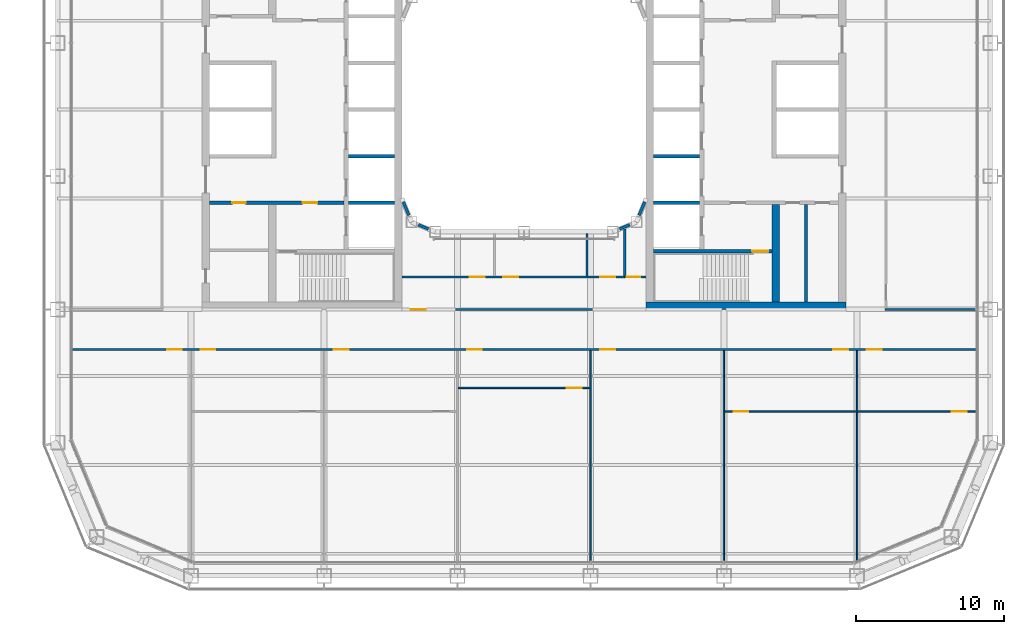
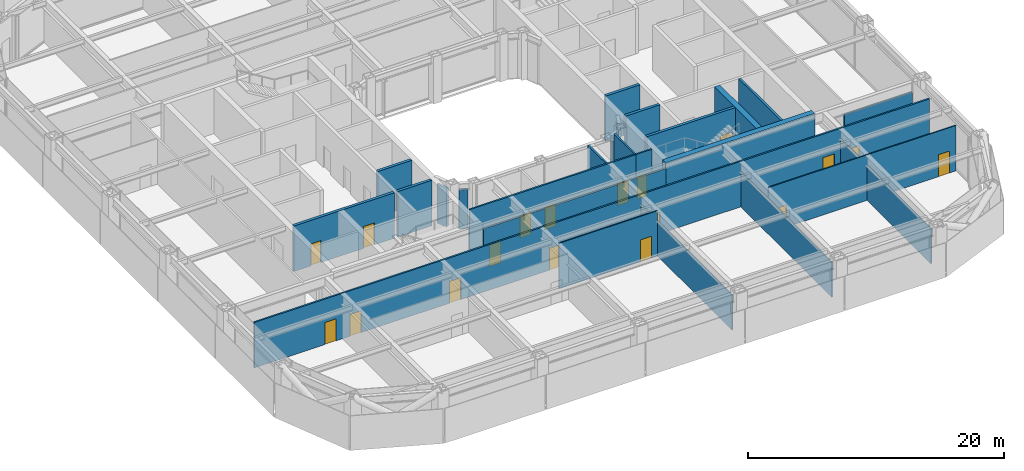
# One storey, part 13 of 29: 26 walls, 18 doors, 18 openings.
"""IFC4 building model written with IfcOpenShell, lengths in metres."""

from ifc_helpers import new_model, si_unit, direction, frame, frame_2d, origin, place, context, subcontext, project, spatial, rectangle, extrude, material, layer, layer_set, type_object, element, fill, save


model = new_model("IFC4")

# Units and contexts
model_context = context("Model", 3, precision=1e-05, world=origin(), true_north=direction((0.0, 1.0)))
body_context = subcontext(model_context, "Body", "Model", "MODEL_VIEW")
ifc_project = project(units=[si_unit("LENGTHUNIT", "METRE"), si_unit("AREAUNIT", "SQUARE_METRE"), si_unit("VOLUMEUNIT", "CUBIC_METRE"), si_unit("PLANEANGLEUNIT", "RADIAN"), si_unit("MASSUNIT", "GRAM", prefix="KILO")], contexts=[model_context])

# Site, building, storey
site_placement = place(None, origin())
site = spatial("IfcSite", under=ifc_project, at=site_placement, CompositionType="ELEMENT")
building_placement = place(site_placement, origin())
building = spatial("IfcBuilding", under=site, at=building_placement, Name="Siwar Civic Tower", CompositionType="ELEMENT")
storey_placement = place(building_placement, frame((0.0, 0.0, 67.199951171875)))
storey = spatial("IfcBuildingStorey", under=building, at=storey_placement, Name="L14", CompositionType="ELEMENT", Elevation=67.199951171875)

# Wall, opening, door
ifc_material_1 = material(Name="Gypsum board on steel studs", Category="steel")
ifc_layer_1 = layer(ifc_material_1, 0.14990234375)
ifc_layer_set_1 = layer_set([ifc_layer_1], Name="Gypsum board on steel studs")
wall_type_1 = type_object("IfcWallType", Name="COMPARTMENT PARTITION 150 EI 60", PredefinedType="PARTITIONING", material=ifc_layer_set_1)
wall_1_placement = place(storey_placement, frame((6.800048828125, -11.300048828125, 0.0), z_axis=(0.0, 0.0, 1.0), x_axis=(1.0, 0.0, 0.0)))
wall_1 = element("IfcWall", 1, at=wall_1_placement, inside=storey, type_object=wall_type_1, Name="L14/wall/P09", PredefinedType="PARTITIONING", context=body_context, shape_type="SweptSolid", body=[
    extrude(rectangle(XDim=1.449951171875, YDim=0.14990234375, at=frame_2d((0.72509765625, 0.0))), origin(), (0.0, 0.0, 1.0), 4.35009765625),
])
opening_1_placement = place(wall_1_placement, frame((0.14990234375, 0.0, 0.0)))
opening_1 = element("IfcOpeningElement", 2, at=opening_1_placement, cuts=wall_1, Name="Opening D4", PredefinedType="OPENING", context=body_context, shape_type="SweptSolid", body=[
    extrude(rectangle(XDim=0.89990234375, YDim=2.10009765625, at=frame_2d((0.449951171875, 1.050048828125))), frame((0.0, 0.0849609375, 0.0), z_axis=(0.0, -1.0, 0.0), x_axis=(1.0, 0.0, 0.0)), (0.0, 0.0, 1.0), 0.169921875),
])
ifc_material_2 = material(Name="Timber, painted", Category="wood")
door_type_1 = type_object("IfcDoorType", Name="DOOR 900 X 2100 FD60", OperationType="SINGLE_SWING_LEFT", PredefinedType="DOOR", material=ifc_material_2)
door_1_placement = place(opening_1_placement, origin())
door_1 = element("IfcDoor", 3, at=door_1_placement, inside=storey, type_object=door_type_1, Name="L14-D34", OperationType="SINGLE_SWING_RIGHT", OverallHeight=2.10009765625, OverallWidth=0.89990234375, PredefinedType="DOOR", context=body_context, shape_type="SweptSolid", body=[
    extrude(rectangle(XDim=0.89990234375, YDim=2.10009765625, at=frame_2d((0.449951171875, 1.050048828125))), frame((0.0, 0.02490234375, 0.0), z_axis=(0.0, -1.0, 0.0), x_axis=(1.0, 0.0, 0.0)), (0.0, 0.0, 1.0), 0.050048828125),
])
fill(opening_1, door_1)

# Walls
wall_2_placement = place(storey_placement, frame((6.800048828125, -11.22509765625, 0.0), z_axis=(0.0, 0.0, 1.0), x_axis=(0.0, 1.0, 0.0)))
element("IfcWall", 4, at=wall_2_placement, inside=storey, type_object=wall_type_1, Name="L14/wall/P32", PredefinedType="PARTITIONING", context=body_context, shape_type="SweptSolid", body=[
    extrude(rectangle(XDim=3.151123046875, YDim=0.14990234375, at=frame_2d((1.57568359375, 0.0))), origin(), (0.0, 0.0, 1.0), 4.35009765625),
])
ifc_material_3 = material(Name="Gypsum board on steel studs", Category="steel")
ifc_layer_2 = layer(ifc_material_3, 0.199951171875)
ifc_layer_set_2 = layer_set([ifc_layer_2], Name="Gypsum board on steel studs")
wall_type_2 = type_object("IfcWallType", Name="CORE-PARTITION-200", PredefinedType="PARTITIONING", material=ifc_layer_set_2)
wall_3_placement = place(storey_placement, frame((19.050048828125, -13.0, 0.0), z_axis=(0.0, 0.0, 1.0), x_axis=(0.0, 1.0, 0.0)))
element("IfcWall", 5, at=wall_3_placement, inside=storey, type_object=wall_type_2, Name="Core partition E", PredefinedType="PARTITIONING", context=body_context, shape_type="SweptSolid", body=[
    extrude(rectangle(XDim=6.574951171875, YDim=0.199951171875, at=frame_2d((3.28759765625, 0.0))), origin(), (0.0, 0.0, 1.0), 4.35009765625),
])

# Wall, openings, doors
ifc_material_4 = material(Name="Concrete C60/75", Category="concrete")
ifc_layer_3 = layer(ifc_material_4, 0.25)
ifc_layer_set_3 = layer_set([ifc_layer_3], Name="Concrete C60/75")
wall_type_3 = type_object("IfcWallType", Name="CORE-WALL-RC250", PredefinedType="SHEAR", material=ifc_layer_set_3)
wall_4_placement = place(storey_placement, frame((-12.14990234375, -6.300048828125, 0.0), z_axis=(0.0, 0.0, 1.0), x_axis=(-1.0, 0.0, 0.0)))
wall_4 = element("IfcWall", 6, at=wall_4_placement, inside=storey, type_object=wall_type_3, Name="Core wall W", PredefinedType="SHEAR", context=body_context, shape_type="SweptSolid", body=[
    extrude(rectangle(XDim=9.10009765625, YDim=0.25, at=frame_2d((4.550048828125, 0.0))), origin(), (0.0, 0.0, 1.0), 4.35009765625),
])
opening_2_placement = place(wall_4_placement, frame((1.800048828125, 0.0, 0.0)))
opening_2 = element("IfcOpeningElement", 7, at=opening_2_placement, cuts=wall_4, Name="Opening L14-CW02", PredefinedType="OPENING", context=body_context, shape_type="SweptSolid", body=[
    extrude(rectangle(XDim=1.0, YDim=2.10009765625, at=frame_2d((0.5, 1.050048828125))), frame((0.0, 0.135009765625, 0.0), z_axis=(0.0, -1.0, 0.0), x_axis=(1.0, 0.0, 0.0)), (0.0, 0.0, 1.0), 0.27001953125),
])
opening_3_placement = place(wall_4_placement, frame((6.64990234375, 0.0, 0.0)))
opening_3 = element("IfcOpeningElement", 8, at=opening_3_placement, cuts=wall_4, Name="Opening L14-CW14", PredefinedType="OPENING", context=body_context, shape_type="SweptSolid", body=[
    extrude(rectangle(XDim=0.89990234375, YDim=2.10009765625, at=frame_2d((0.449951171875, 1.050048828125))), frame((0.0, 0.135009765625, 0.0), z_axis=(0.0, -1.0, 0.0), x_axis=(1.0, 0.0, 0.0)), (0.0, 0.0, 1.0), 0.27001953125),
])
ifc_material_5 = material(Name="Steel door leaf", Category="steel")
door_type_2 = type_object("IfcDoorType", Name="CORE-DOOR-FD30S", OperationType="SINGLE_SWING_LEFT", PredefinedType="DOOR", material=ifc_material_5)
door_2_placement = place(opening_2_placement, origin())
door_2 = element("IfcDoor", 9, at=door_2_placement, inside=storey, type_object=door_type_2, Name="Service lobby door L14-CW02", OperationType="SINGLE_SWING_RIGHT", OverallHeight=2.10009765625, OverallWidth=1.0, PredefinedType="DOOR", context=body_context, shape_type="SweptSolid", body=[
    extrude(rectangle(XDim=1.0, YDim=2.10009765625, at=frame_2d((0.5, 1.050048828125))), frame((0.0, 0.02490234375, 0.0), z_axis=(0.0, -1.0, 0.0), x_axis=(1.0, 0.0, 0.0)), (0.0, 0.0, 1.0), 0.050048828125),
])
fill(opening_2, door_2)
ifc_material_6 = material(Name="Steel door leaf", Category="steel")
door_type_3 = type_object("IfcDoorType", Name="CORE-DOOR-ROOM", OperationType="SINGLE_SWING_LEFT", PredefinedType="DOOR", material=ifc_material_6)
door_3_placement = place(opening_3_placement, origin())
door_3 = element("IfcDoor", 10, at=door_3_placement, inside=storey, type_object=door_type_3, Name="Core room door L14-CW14", OperationType="SINGLE_SWING_RIGHT", OverallHeight=2.10009765625, OverallWidth=0.89990234375, PredefinedType="DOOR", context=body_context, shape_type="SweptSolid", body=[
    extrude(rectangle(XDim=0.89990234375, YDim=2.10009765625, at=frame_2d((0.449951171875, 1.050048828125))), frame((0.0, 0.02490234375, 0.0), z_axis=(0.0, -1.0, 0.0), x_axis=(1.0, 0.0, 0.0)), (0.0, 0.0, 1.0), 0.050048828125),
])
fill(opening_3, door_3)

# Walls
for number, where, z_axis, x_axis, name in (
    (11, (-8.75, -3.14990234375, 0.0), (0.0, 0.0, 1.0), (-1.0, 0.0, 0.0), "Core wall W"),
    (12, (-8.75, -6.300048828125, 0.0), (0.0, 0.0, 1.0), (-1.0, 0.0, 0.0), "Core wall W"),
    (13, (8.75, -3.14990234375, 0.0), (0.0, 0.0, 1.0), (1.0, 0.0, 0.0), "Core wall E"),
    (14, (8.75, -6.300048828125, 0.0), (0.0, 0.0, 1.0), (1.0, 0.0, 0.0), "Core wall E"),
):
    element("IfcWall", number, at=place(storey_placement, frame(where, z_axis=z_axis, x_axis=x_axis)), inside=storey, type_object=wall_type_3, Name=name, PredefinedType="SHEAR", context=body_context, shape_type="SweptSolid", body=[
        extrude(rectangle(XDim=3.10009765625, YDim=0.25, at=frame_2d((1.550048828125, 0.0))), origin(), (0.0, 0.0, 1.0), 4.35009765625),
    ])

# Wall, opening, door
wall_5_placement = place(storey_placement, frame((8.75, -9.574951171875, 0.0), z_axis=(0.0, 0.0, 1.0), x_axis=(1.0, 0.0, 0.0)))
wall_5 = element("IfcWall", 15, at=wall_5_placement, inside=storey, type_object=wall_type_3, Name="Core wall E", PredefinedType="SHEAR", context=body_context, shape_type="SweptSolid", body=[
    extrude(rectangle(XDim=8.0, YDim=0.25, at=frame_2d((4.0, 0.0))), origin(), (0.0, 0.0, 1.0), 4.35009765625),
])
opening_4_placement = place(wall_5_placement, frame((6.64990234375, 0.0, 0.0)))
opening_4 = element("IfcOpeningElement", 16, at=opening_4_placement, cuts=wall_5, Name="Opening L14-CE04", PredefinedType="OPENING", context=body_context, shape_type="SweptSolid", body=[
    extrude(rectangle(XDim=1.10009765625, YDim=2.10009765625, at=frame_2d((0.550048828125, 1.050048828125))), frame((0.0, 0.135009765625, 0.0), z_axis=(0.0, -1.0, 0.0), x_axis=(1.0, 0.0, 0.0)), (0.0, 0.0, 1.0), 0.27001953125),
])
ifc_material_7 = material(Name="Steel door leaf", Category="steel")
door_type_4 = type_object("IfcDoorType", Name="CORE-DOOR-FD60S", OperationType="SINGLE_SWING_LEFT", PredefinedType="DOOR", material=ifc_material_7)
door_4_placement = place(opening_4_placement, origin())
door_4 = element("IfcDoor", 17, at=door_4_placement, inside=storey, type_object=door_type_4, Name="Stair door L14-CE04", OperationType="SINGLE_SWING_RIGHT", OverallHeight=2.10009765625, OverallWidth=1.10009765625, PredefinedType="DOOR", context=body_context, shape_type="SweptSolid", body=[
    extrude(rectangle(XDim=1.10009765625, YDim=2.10009765625, at=frame_2d((0.550048828125, 1.050048828125))), frame((0.0, 0.02490234375, 0.0), z_axis=(0.0, -1.0, 0.0), x_axis=(1.0, 0.0, 0.0)), (0.0, 0.0, 1.0), 0.050048828125),
])
fill(opening_4, door_4)

# Walls
ifc_material_8 = material(Name="Concrete C60/75", Category="concrete")
ifc_layer_4 = layer(ifc_material_8, 0.5)
ifc_layer_set_4 = layer_set([ifc_layer_4], Name="Concrete C60/75")
wall_type_4 = type_object("IfcWallType", Name="CORE-WALL-RC500", PredefinedType="SHEAR", material=ifc_layer_set_4)
wall_6_placement = place(storey_placement, frame((17.0, -13.0, 0.0), z_axis=(0.0, 0.0, 1.0), x_axis=(0.0, 1.0, 0.0)))
element("IfcWall", 18, at=wall_6_placement, inside=storey, type_object=wall_type_4, Name="Core wall E", PredefinedType="SHEAR", context=body_context, shape_type="SweptSolid", body=[
    extrude(rectangle(XDim=6.574951171875, YDim=0.5, at=frame_2d((3.28759765625, 0.0))), origin(), (0.0, 0.0, 1.0), 4.35009765625),
])
wall_7_placement = place(storey_placement, frame((8.25, -13.25, 0.0), z_axis=(0.0, 0.0, 1.0), x_axis=(1.0, 0.0, 0.0)))
element("IfcWall", 19, at=wall_7_placement, inside=storey, type_object=wall_type_4, Name="Core wall E", PredefinedType="SHEAR", context=body_context, shape_type="SweptSolid", body=[
    extrude(rectangle(XDim=13.5, YDim=0.5, at=frame_2d((6.75, 0.0))), origin(), (0.0, 0.0, 1.0), 4.35009765625),
])

# Wall, openings, doors
ifc_material_9 = material(Name="Gypsum board on steel studs", Category="steel")
ifc_layer_5 = layer(ifc_material_9, 0.14990234375)
ifc_layer_set_5 = layer_set([ifc_layer_5], Name="Gypsum board on steel studs")
wall_type_5 = type_object("IfcWallType", Name="CORRIDOR PARTITION 150 EI 30", PredefinedType="PARTITIONING", material=ifc_layer_set_5)
wall_8_placement = place(storey_placement, frame((-30.510009765625, -16.199951171875, 0.0), z_axis=(0.0, 0.0, 1.0), x_axis=(1.0, 0.0, 0.0)))
wall_8 = element("IfcWall", 20, at=wall_8_placement, inside=storey, type_object=wall_type_5, Name="L14/wall/P04", PredefinedType="PARTITIONING", context=body_context, shape_type="SweptSolid", body=[
    extrude(rectangle(XDim=61.02001953125, YDim=0.14990234375, at=frame_2d((30.510009765625, 0.0))), origin(), (0.0, 0.0, 1.0), 4.35009765625),
])
opening_5_placement = place(wall_8_placement, frame((8.659912109375, 0.0, 0.0)))
opening_5 = element("IfcOpeningElement", 21, at=opening_5_placement, cuts=wall_8, Name="Opening D1", PredefinedType="OPENING", context=body_context, shape_type="SweptSolid", body=[
    extrude(rectangle(XDim=1.0, YDim=2.10009765625, at=frame_2d((0.5, 1.050048828125))), frame((0.0, 0.0849609375, 0.0), z_axis=(0.0, -1.0, 0.0), x_axis=(1.0, 0.0, 0.0)), (0.0, 0.0, 1.0), 0.169921875),
])
opening_6_placement = place(wall_8_placement, frame((17.659912109375, 0.0, 0.0)))
opening_6 = element("IfcOpeningElement", 22, at=opening_6_placement, cuts=wall_8, Name="Opening D1", PredefinedType="OPENING", context=body_context, shape_type="SweptSolid", body=[
    extrude(rectangle(XDim=1.0, YDim=2.10009765625, at=frame_2d((0.5, 1.050048828125))), frame((0.0, 0.0849609375, 0.0), z_axis=(0.0, -1.0, 0.0), x_axis=(1.0, 0.0, 0.0)), (0.0, 0.0, 1.0), 0.169921875),
])
opening_7_placement = place(wall_8_placement, frame((26.659912109375, 0.0, 0.0)))
opening_7 = element("IfcOpeningElement", 23, at=opening_7_placement, cuts=wall_8, Name="Opening D1", PredefinedType="OPENING", context=body_context, shape_type="SweptSolid", body=[
    extrude(rectangle(XDim=1.0, YDim=2.10009765625, at=frame_2d((0.5, 1.050048828125))), frame((0.0, 0.0849609375, 0.0), z_axis=(0.0, -1.0, 0.0), x_axis=(1.0, 0.0, 0.0)), (0.0, 0.0, 1.0), 0.169921875),
])
opening_8_placement = place(wall_8_placement, frame((35.659912109375, 0.0, 0.0)))
opening_8 = element("IfcOpeningElement", 24, at=opening_8_placement, cuts=wall_8, Name="Opening D1", PredefinedType="OPENING", context=body_context, shape_type="SweptSolid", body=[
    extrude(rectangle(XDim=1.0, YDim=2.10009765625, at=frame_2d((0.5, 1.050048828125))), frame((0.0, 0.0849609375, 0.0), z_axis=(0.0, -1.0, 0.0), x_axis=(1.0, 0.0, 0.0)), (0.0, 0.0, 1.0), 0.169921875),
])
opening_9_placement = place(wall_8_placement, frame((51.409912109375, 0.0, 0.0)))
opening_9 = element("IfcOpeningElement", 25, at=opening_9_placement, cuts=wall_8, Name="Opening D1", PredefinedType="OPENING", context=body_context, shape_type="SweptSolid", body=[
    extrude(rectangle(XDim=1.0, YDim=2.10009765625, at=frame_2d((0.5, 1.050048828125))), frame((0.0, 0.0849609375, 0.0), z_axis=(0.0, -1.0, 0.0), x_axis=(1.0, 0.0, 0.0)), (0.0, 0.0, 1.0), 0.169921875),
])
opening_10_placement = place(wall_8_placement, frame((6.39990234375, 0.0, 0.0)))
opening_10 = element("IfcOpeningElement", 26, at=opening_10_placement, cuts=wall_8, Name="Opening D1", PredefinedType="OPENING", context=body_context, shape_type="SweptSolid", body=[
    extrude(rectangle(XDim=1.0, YDim=2.10009765625, at=frame_2d((0.5, 1.050048828125))), frame((0.0, 0.0849609375, 0.0), z_axis=(0.0, -1.0, 0.0), x_axis=(1.0, 0.0, 0.0)), (0.0, 0.0, 1.0), 0.169921875),
])
opening_11_placement = place(wall_8_placement, frame((53.659912109375, 0.0, 0.0)))
opening_11 = element("IfcOpeningElement", 27, at=opening_11_placement, cuts=wall_8, Name="Opening D1", PredefinedType="OPENING", context=body_context, shape_type="SweptSolid", body=[
    extrude(rectangle(XDim=1.0, YDim=2.10009765625, at=frame_2d((0.5, 1.050048828125))), frame((0.0, 0.0849609375, 0.0), z_axis=(0.0, -1.0, 0.0), x_axis=(1.0, 0.0, 0.0)), (0.0, 0.0, 1.0), 0.169921875),
])
ifc_material_10 = material(Name="Timber, painted", Category="wood")
door_type_5 = type_object("IfcDoorType", Name="DOOR 1000 X 2100 FD30", OperationType="SINGLE_SWING_LEFT", PredefinedType="DOOR", material=ifc_material_10)
door_5_placement = place(opening_5_placement, origin())
door_5 = element("IfcDoor", 28, at=door_5_placement, inside=storey, type_object=door_type_5, Name="L14-D11", OperationType="SINGLE_SWING_LEFT", OverallHeight=2.10009765625, OverallWidth=1.0, PredefinedType="DOOR", context=body_context, shape_type="SweptSolid", body=[
    extrude(rectangle(XDim=1.0, YDim=2.10009765625, at=frame_2d((0.5, 1.050048828125))), frame((0.0, 0.02490234375, 0.0), z_axis=(0.0, -1.0, 0.0), x_axis=(1.0, 0.0, 0.0)), (0.0, 0.0, 1.0), 0.050048828125),
])
fill(opening_5, door_5)
door_6_placement = place(opening_6_placement, origin())
door_6 = element("IfcDoor", 29, at=door_6_placement, inside=storey, type_object=door_type_5, Name="L14-D13", OperationType="SINGLE_SWING_LEFT", OverallHeight=2.10009765625, OverallWidth=1.0, PredefinedType="DOOR", context=body_context, shape_type="SweptSolid", body=[
    extrude(rectangle(XDim=1.0, YDim=2.10009765625, at=frame_2d((0.5, 1.050048828125))), frame((0.0, 0.02490234375, 0.0), z_axis=(0.0, -1.0, 0.0), x_axis=(1.0, 0.0, 0.0)), (0.0, 0.0, 1.0), 0.050048828125),
])
fill(opening_6, door_6)
door_7_placement = place(opening_7_placement, origin())
door_7 = element("IfcDoor", 30, at=door_7_placement, inside=storey, type_object=door_type_5, Name="L14-D15", OperationType="SINGLE_SWING_LEFT", OverallHeight=2.10009765625, OverallWidth=1.0, PredefinedType="DOOR", context=body_context, shape_type="SweptSolid", body=[
    extrude(rectangle(XDim=1.0, YDim=2.10009765625, at=frame_2d((0.5, 1.050048828125))), frame((0.0, 0.02490234375, 0.0), z_axis=(0.0, -1.0, 0.0), x_axis=(1.0, 0.0, 0.0)), (0.0, 0.0, 1.0), 0.050048828125),
])
fill(opening_7, door_7)
door_8_placement = place(opening_8_placement, origin())
door_8 = element("IfcDoor", 31, at=door_8_placement, inside=storey, type_object=door_type_5, Name="L14-D17", OperationType="SINGLE_SWING_LEFT", OverallHeight=2.10009765625, OverallWidth=1.0, PredefinedType="DOOR", context=body_context, shape_type="SweptSolid", body=[
    extrude(rectangle(XDim=1.0, YDim=2.10009765625, at=frame_2d((0.5, 1.050048828125))), frame((0.0, 0.02490234375, 0.0), z_axis=(0.0, -1.0, 0.0), x_axis=(1.0, 0.0, 0.0)), (0.0, 0.0, 1.0), 0.050048828125),
])
fill(opening_8, door_8)
door_9_placement = place(opening_9_placement, origin())
door_9 = element("IfcDoor", 32, at=door_9_placement, inside=storey, type_object=door_type_5, Name="L14-D18", OperationType="SINGLE_SWING_RIGHT", OverallHeight=2.10009765625, OverallWidth=1.0, PredefinedType="DOOR", context=body_context, shape_type="SweptSolid", body=[
    extrude(rectangle(XDim=1.0, YDim=2.10009765625, at=frame_2d((0.5, 1.050048828125))), frame((0.0, 0.02490234375, 0.0), z_axis=(0.0, -1.0, 0.0), x_axis=(1.0, 0.0, 0.0)), (0.0, 0.0, 1.0), 0.050048828125),
])
fill(opening_9, door_9)
door_10_placement = place(opening_10_placement, origin())
door_10 = element("IfcDoor", 33, at=door_10_placement, inside=storey, type_object=door_type_5, Name="L14-D22", OperationType="SINGLE_SWING_RIGHT", OverallHeight=2.10009765625, OverallWidth=1.0, PredefinedType="DOOR", context=body_context, shape_type="SweptSolid", body=[
    extrude(rectangle(XDim=1.0, YDim=2.10009765625, at=frame_2d((0.5, 1.050048828125))), frame((0.0, 0.02490234375, 0.0), z_axis=(0.0, -1.0, 0.0), x_axis=(1.0, 0.0, 0.0)), (0.0, 0.0, 1.0), 0.050048828125),
])
fill(opening_10, door_10)
door_11_placement = place(opening_11_placement, origin())
door_11 = element("IfcDoor", 34, at=door_11_placement, inside=storey, type_object=door_type_5, Name="L14-D23", OperationType="SINGLE_SWING_LEFT", OverallHeight=2.10009765625, OverallWidth=1.0, PredefinedType="DOOR", context=body_context, shape_type="SweptSolid", body=[
    extrude(rectangle(XDim=1.0, YDim=2.10009765625, at=frame_2d((0.5, 1.050048828125))), frame((0.0, 0.02490234375, 0.0), z_axis=(0.0, -1.0, 0.0), x_axis=(1.0, 0.0, 0.0)), (0.0, 0.0, 1.0), 0.050048828125),
])
fill(opening_11, door_11)

# Wall, opening, door
wall_9_placement = place(storey_placement, frame((-8.25, -13.5, 0.0), z_axis=(0.0, 0.0, 1.0), x_axis=(1.0, 0.0, 0.0)))
wall_9 = element("IfcWall", 35, at=wall_9_placement, inside=storey, type_object=wall_type_5, Name="L14/wall/P06", PredefinedType="PARTITIONING", context=body_context, shape_type="SweptSolid", body=[
    extrude(rectangle(XDim=16.5, YDim=0.14990234375, at=frame_2d((8.25, 0.0))), origin(), (0.0, 0.0, 1.0), 3.85009765625),
])
opening_12_placement = place(wall_9_placement, frame((0.60009765625, 0.0, 0.0)))
opening_12 = element("IfcOpeningElement", 36, at=opening_12_placement, cuts=wall_9, Name="Opening D1", PredefinedType="OPENING", context=body_context, shape_type="SweptSolid", body=[
    extrude(rectangle(XDim=1.0, YDim=2.10009765625, at=frame_2d((0.5, 1.050048828125))), frame((0.0, 0.0849609375, 0.0), z_axis=(0.0, -1.0, 0.0), x_axis=(1.0, 0.0, 0.0)), (0.0, 0.0, 1.0), 0.169921875),
])
door_12_placement = place(opening_12_placement, origin())
door_12 = element("IfcDoor", 37, at=door_12_placement, inside=storey, type_object=door_type_5, Name="L14-D30", OperationType="SINGLE_SWING_RIGHT", OverallHeight=2.10009765625, OverallWidth=1.0, PredefinedType="DOOR", context=body_context, shape_type="SweptSolid", body=[
    extrude(rectangle(XDim=1.0, YDim=2.10009765625, at=frame_2d((0.5, 1.050048828125))), frame((0.0, 0.02490234375, 0.0), z_axis=(0.0, -1.0, 0.0), x_axis=(1.0, 0.0, 0.0)), (0.0, 0.0, 1.0), 0.050048828125),
])
fill(opening_12, door_12)

# Wall
wall_10_placement = place(storey_placement, frame((24.375, -13.5, 0.0), z_axis=(0.0, 0.0, 1.0), x_axis=(1.0, 0.0, 0.0)))
element("IfcWall", 38, at=wall_10_placement, inside=storey, type_object=wall_type_5, Name="L14/wall/P07", PredefinedType="PARTITIONING", context=body_context, shape_type="SweptSolid", body=[
    extrude(rectangle(XDim=6.135009765625, YDim=0.14990234375, at=frame_2d((3.0673828125, 0.0))), origin(), (0.0, 0.0, 1.0), 3.35009765625),
])

# Wall, openings, doors
wall_11_placement = place(storey_placement, frame((-8.25, -11.300048828125, 0.0), z_axis=(0.0, 0.0, 1.0), x_axis=(1.0, 0.0, 0.0)))
wall_11 = element("IfcWall", 39, at=wall_11_placement, inside=storey, type_object=wall_type_5, Name="L14/wall/P08", PredefinedType="PARTITIONING", context=body_context, shape_type="SweptSolid", body=[
    extrude(rectangle(XDim=15.050048828125, YDim=0.14990234375, at=frame_2d((7.52490234375, 0.0))), origin(), (0.0, 0.0, 1.0), 4.35009765625),
])
opening_13_placement = place(wall_11_placement, frame((4.60009765625, 0.0, 0.0)))
opening_13 = element("IfcOpeningElement", 40, at=opening_13_placement, cuts=wall_11, Name="Opening D3", PredefinedType="OPENING", context=body_context, shape_type="SweptSolid", body=[
    extrude(rectangle(XDim=1.0, YDim=2.10009765625, at=frame_2d((0.5, 1.050048828125))), frame((0.0, 0.0849609375, 0.0), z_axis=(0.0, -1.0, 0.0), x_axis=(1.0, 0.0, 0.0)), (0.0, 0.0, 1.0), 0.169921875),
])
opening_14_placement = place(wall_11_placement, frame((6.85009765625, 0.0, 0.0)))
opening_14 = element("IfcOpeningElement", 41, at=opening_14_placement, cuts=wall_11, Name="Opening D3", PredefinedType="OPENING", context=body_context, shape_type="SweptSolid", body=[
    extrude(rectangle(XDim=1.0, YDim=2.10009765625, at=frame_2d((0.5, 1.050048828125))), frame((0.0, 0.0849609375, 0.0), z_axis=(0.0, -1.0, 0.0), x_axis=(1.0, 0.0, 0.0)), (0.0, 0.0, 1.0), 0.169921875),
])
opening_15_placement = place(wall_11_placement, frame((13.39990234375, 0.0, 0.0)))
opening_15 = element("IfcOpeningElement", 42, at=opening_15_placement, cuts=wall_11, Name="Opening D3", PredefinedType="OPENING", context=body_context, shape_type="SweptSolid", body=[
    extrude(rectangle(XDim=1.0, YDim=2.10009765625, at=frame_2d((0.5, 1.050048828125))), frame((0.0, 0.0849609375, 0.0), z_axis=(0.0, -1.0, 0.0), x_axis=(1.0, 0.0, 0.0)), (0.0, 0.0, 1.0), 0.169921875),
])
ifc_material_11 = material(Name="Timber, painted", Category="wood")
door_type_6 = type_object("IfcDoorType", Name="DOOR 1000 X 2100 WC", OperationType="SINGLE_SWING_LEFT", PredefinedType="DOOR", material=ifc_material_11)
door_13_placement = place(opening_13_placement, origin())
door_13 = element("IfcDoor", 43, at=door_13_placement, inside=storey, type_object=door_type_6, Name="L14-D31", OperationType="SINGLE_SWING_LEFT", OverallHeight=2.10009765625, OverallWidth=1.0, PredefinedType="DOOR", context=body_context, shape_type="SweptSolid", body=[
    extrude(rectangle(XDim=1.0, YDim=2.10009765625, at=frame_2d((0.5, 1.050048828125))), frame((0.0, 0.02490234375, 0.0), z_axis=(0.0, -1.0, 0.0), x_axis=(1.0, 0.0, 0.0)), (0.0, 0.0, 1.0), 0.050048828125),
])
fill(opening_13, door_13)
door_14_placement = place(opening_14_placement, origin())
door_14 = element("IfcDoor", 44, at=door_14_placement, inside=storey, type_object=door_type_6, Name="L14-D32", OperationType="SINGLE_SWING_RIGHT", OverallHeight=2.10009765625, OverallWidth=1.0, PredefinedType="DOOR", context=body_context, shape_type="SweptSolid", body=[
    extrude(rectangle(XDim=1.0, YDim=2.10009765625, at=frame_2d((0.5, 1.050048828125))), frame((0.0, 0.02490234375, 0.0), z_axis=(0.0, -1.0, 0.0), x_axis=(1.0, 0.0, 0.0)), (0.0, 0.0, 1.0), 0.050048828125),
])
fill(opening_14, door_14)
door_15_placement = place(opening_15_placement, origin())
door_15 = element("IfcDoor", 45, at=door_15_placement, inside=storey, type_object=door_type_6, Name="L14-D33", OperationType="SINGLE_SWING_LEFT", OverallHeight=2.10009765625, OverallWidth=1.0, PredefinedType="DOOR", context=body_context, shape_type="SweptSolid", body=[
    extrude(rectangle(XDim=1.0, YDim=2.10009765625, at=frame_2d((0.5, 1.050048828125))), frame((0.0, 0.02490234375, 0.0), z_axis=(0.0, -1.0, 0.0), x_axis=(1.0, 0.0, 0.0)), (0.0, 0.0, 1.0), 0.050048828125),
])
fill(opening_15, door_15)

# Walls
wall_12_placement = place(storey_placement, frame((4.25, -11.22509765625, 0.0), z_axis=(0.0, 0.0, 1.0), x_axis=(0.0, 1.0, 0.0)))
element("IfcWall", 46, at=wall_12_placement, inside=storey, type_object=wall_type_5, Name="L14/wall/P28", PredefinedType="PARTITIONING", context=body_context, shape_type="SweptSolid", body=[
    extrude(rectangle(XDim=2.85498046875, YDim=0.14990234375, at=frame_2d((1.427490234375, 0.0))), origin(), (0.0, 0.0, 1.0), 4.35009765625),
])
ifc_material_12 = material(Name="Aluminium clad insulated panel", Category="aluminium")
ifc_layer_6 = layer(ifc_material_12, 0.199951171875)
ifc_layer_set_6 = layer_set([ifc_layer_6], Name="Aluminium clad insulated panel")
wall_type_6 = type_object("IfcWallType", Name="ENV-WALL-WELL", PredefinedType="STANDARD", material=ifc_layer_set_6)
wall_13_placement = place(storey_placement, frame((6.45263671875, -8.0625, 0.0), z_axis=(0.0, 0.0, 1.0), x_axis=(0.923940677943, 0.382535780864, 0.0)))
element("IfcWall", 47, at=wall_13_placement, inside=storey, type_object=wall_type_6, Name="Light well corner wall SE1", PredefinedType="STANDARD", context=body_context, shape_type="SweptSolid", body=[
    extrude(rectangle(XDim=0.7421875, YDim=0.199951171875, at=frame_2d((0.37109375, 0.0))), origin(), (0.0, 0.0, 1.0), 3.72998046875),
])
for number, where, z_axis, x_axis, name in (
    (48, (7.778564453125, -7.138427734375, 0.0), (0.0, 0.0, 1.0), (0.382549378284, 0.923935048136, 0.0), "Light well corner wall SE2"),
    (49, (-8.154296875, -6.23095703125, 0.0), (0.0, 0.0, 1.0), (0.382549378284, -0.923935048136, 0.0), "Light well corner wall SW1"),
):
    element("IfcWall", number, at=place(storey_placement, frame(where, z_axis=z_axis, x_axis=x_axis)), inside=storey, type_object=wall_type_6, Name=name, PredefinedType="STANDARD", context=body_context, shape_type="SweptSolid", body=[
        extrude(rectangle(XDim=0.982177734375, YDim=0.199951171875, at=frame_2d((0.4912109375, 0.0))), origin(), (0.0, 0.0, 1.0), 3.72998046875),
    ])
wall_14_placement = place(storey_placement, frame((-7.138427734375, -7.778564453125, 0.0), z_axis=(0.0, 0.0, 1.0), x_axis=(0.923940677943, -0.382535780864, 0.0)))
element("IfcWall", 50, at=wall_14_placement, inside=storey, type_object=wall_type_6, Name="Light well corner wall SW2", PredefinedType="STANDARD", context=body_context, shape_type="SweptSolid", body=[
    extrude(rectangle(XDim=0.7421875, YDim=0.199951171875, at=frame_2d((0.37109375, 0.0))), origin(), (0.0, 0.0, 1.0), 3.72998046875),
])

# Wall, openings, doors
ifc_material_13 = material(Name="Gypsum board on steel studs", Category="steel")
ifc_layer_7 = layer(ifc_material_13, 0.10009765625)
ifc_layer_set_7 = layer_set([ifc_layer_7], Name="Gypsum board on steel studs")
wall_type_7 = type_object("IfcWallType", Name="PARTITION 100 GYPSUM", PredefinedType="PARTITIONING", material=ifc_layer_set_7)
wall_15_placement = place(storey_placement, frame((13.550048828125, -20.39990234375, 0.0), z_axis=(0.0, 0.0, 1.0), x_axis=(1.0, 0.0, 0.0)))
wall_15 = element("IfcWall", 51, at=wall_15_placement, inside=storey, type_object=wall_type_7, Name="L14/wall/P02", PredefinedType="PARTITIONING", context=body_context, shape_type="SweptSolid", body=[
    extrude(rectangle(XDim=16.9599609375, YDim=0.10009765625, at=frame_2d((8.47998046875, 0.0))), origin(), (0.0, 0.0, 1.0), 4.35009765625),
])
opening_16_placement = place(wall_15_placement, frame((0.60009765625, 0.0, 0.0)))
opening_16 = element("IfcOpeningElement", 52, at=opening_16_placement, cuts=wall_15, Name="Opening D2", PredefinedType="OPENING", context=body_context, shape_type="SweptSolid", body=[
    extrude(rectangle(XDim=1.0, YDim=2.10009765625, at=frame_2d((0.5, 1.050048828125))), frame((0.0, 0.06005859375, 0.0), z_axis=(0.0, -1.0, 0.0), x_axis=(1.0, 0.0, 0.0)), (0.0, 0.0, 1.0), 0.1201171875),
])
opening_17_placement = place(wall_15_placement, frame((15.35009765625, 0.0, 0.0)))
opening_17 = element("IfcOpeningElement", 53, at=opening_17_placement, cuts=wall_15, Name="Opening D2", PredefinedType="OPENING", context=body_context, shape_type="SweptSolid", body=[
    extrude(rectangle(XDim=1.0, YDim=2.10009765625, at=frame_2d((0.5, 1.050048828125))), frame((0.0, 0.06005859375, 0.0), z_axis=(0.0, -1.0, 0.0), x_axis=(1.0, 0.0, 0.0)), (0.0, 0.0, 1.0), 0.1201171875),
])
ifc_material_14 = material(Name="Timber, painted", Category="wood")
door_type_7 = type_object("IfcDoorType", Name="DOOR 1000 X 2100", OperationType="SINGLE_SWING_LEFT", PredefinedType="DOOR", material=ifc_material_14)
door_16_placement = place(opening_16_placement, origin())
door_16 = element("IfcDoor", 54, at=door_16_placement, inside=storey, type_object=door_type_7, Name="L14-D19", OperationType="SINGLE_SWING_LEFT", OverallHeight=2.10009765625, OverallWidth=1.0, PredefinedType="DOOR", context=body_context, shape_type="SweptSolid", body=[
    extrude(rectangle(XDim=1.0, YDim=2.10009765625, at=frame_2d((0.5, 1.050048828125))), frame((0.0, 0.02490234375, 0.0), z_axis=(0.0, -1.0, 0.0), x_axis=(1.0, 0.0, 0.0)), (0.0, 0.0, 1.0), 0.050048828125),
])
fill(opening_16, door_16)
door_17_placement = place(opening_17_placement, origin())
door_17 = element("IfcDoor", 55, at=door_17_placement, inside=storey, type_object=door_type_7, Name="L14-D24", OperationType="SINGLE_SWING_RIGHT", OverallHeight=2.10009765625, OverallWidth=1.0, PredefinedType="DOOR", context=body_context, shape_type="SweptSolid", body=[
    extrude(rectangle(XDim=1.0, YDim=2.10009765625, at=frame_2d((0.5, 1.050048828125))), frame((0.0, 0.02490234375, 0.0), z_axis=(0.0, -1.0, 0.0), x_axis=(1.0, 0.0, 0.0)), (0.0, 0.0, 1.0), 0.050048828125),
])
fill(opening_17, door_17)

# Wall, opening, door
wall_16_placement = place(storey_placement, frame((-4.449951171875, -18.800048828125, 0.0), z_axis=(0.0, 0.0, 1.0), x_axis=(1.0, 0.0, 0.0)))
wall_16 = element("IfcWall", 56, at=wall_16_placement, inside=storey, type_object=wall_type_7, Name="L14/wall/P03", PredefinedType="PARTITIONING", context=body_context, shape_type="SweptSolid", body=[
    extrude(rectangle(XDim=8.89990234375, YDim=0.10009765625, at=frame_2d((4.449951171875, 0.0))), origin(), (0.0, 0.0, 1.0), 4.35009765625),
])
opening_18_placement = place(wall_16_placement, frame((7.35009765625, 0.0, 0.0)))
opening_18 = element("IfcOpeningElement", 57, at=opening_18_placement, cuts=wall_16, Name="Opening D2", PredefinedType="OPENING", context=body_context, shape_type="SweptSolid", body=[
    extrude(rectangle(XDim=1.0, YDim=2.10009765625, at=frame_2d((0.5, 1.050048828125))), frame((0.0, 0.06005859375, 0.0), z_axis=(0.0, -1.0, 0.0), x_axis=(1.0, 0.0, 0.0)), (0.0, 0.0, 1.0), 0.1201171875),
])
door_18_placement = place(opening_18_placement, origin())
door_18 = element("IfcDoor", 58, at=door_18_placement, inside=storey, type_object=door_type_7, Name="L14-D16", OperationType="SINGLE_SWING_RIGHT", OverallHeight=2.10009765625, OverallWidth=1.0, PredefinedType="DOOR", context=body_context, shape_type="SweptSolid", body=[
    extrude(rectangle(XDim=1.0, YDim=2.10009765625, at=frame_2d((0.5, 1.050048828125))), frame((0.0, 0.02490234375, 0.0), z_axis=(0.0, -1.0, 0.0), x_axis=(1.0, 0.0, 0.0)), (0.0, 0.0, 1.0), 0.050048828125),
])
fill(opening_18, door_18)

# Walls
for number, where, z_axis, x_axis, name in (
    (59, (4.5, -30.510009765625, 0.0), (0.0, 0.0, 1.0), (0.0, 1.0, 0.0), "L14/wall/P29"),
    (60, (13.5, -30.510009765625, 0.0), (0.0, 0.0, 1.0), (0.0, 1.0, 0.0), "L14/wall/P33"),
):
    element("IfcWall", number, at=place(storey_placement, frame(where, z_axis=z_axis, x_axis=x_axis)), inside=storey, type_object=wall_type_7, Name=name, PredefinedType="PARTITIONING", context=body_context, shape_type="SweptSolid", body=[
        extrude(rectangle(XDim=14.235107421875, YDim=0.10009765625, at=frame_2d((7.11767578125, 0.0))), origin(), (0.0, 0.0, 1.0), 3.35009765625),
    ])
wall_17_placement = place(storey_placement, frame((22.5, -30.427978515625, 0.0), z_axis=(0.0, 0.0, 1.0), x_axis=(0.0, 1.0, 0.0)))
element("IfcWall", 61, at=wall_17_placement, inside=storey, type_object=wall_type_7, Name="L14/wall/P36", PredefinedType="PARTITIONING", context=body_context, shape_type="SweptSolid", body=[
    extrude(rectangle(XDim=9.97802734375, YDim=0.10009765625, at=frame_2d((4.989013671875, 0.0))), origin(), (0.0, 0.0, 1.0), 3.35009765625),
])
wall_18_placement = place(storey_placement, frame((22.5, -20.35009765625, 0.0), z_axis=(0.0, 0.0, 1.0), x_axis=(0.0, 1.0, 0.0)))
element("IfcWall", 62, at=wall_18_placement, inside=storey, type_object=wall_type_7, Name="L14/wall/P37", PredefinedType="PARTITIONING", context=body_context, shape_type="SweptSolid", body=[
    extrude(rectangle(XDim=4.0751953125, YDim=0.10009765625, at=frame_2d((2.03759765625, 0.0))), origin(), (0.0, 0.0, 1.0), 3.35009765625),
])

save(model, "model.ifc")
